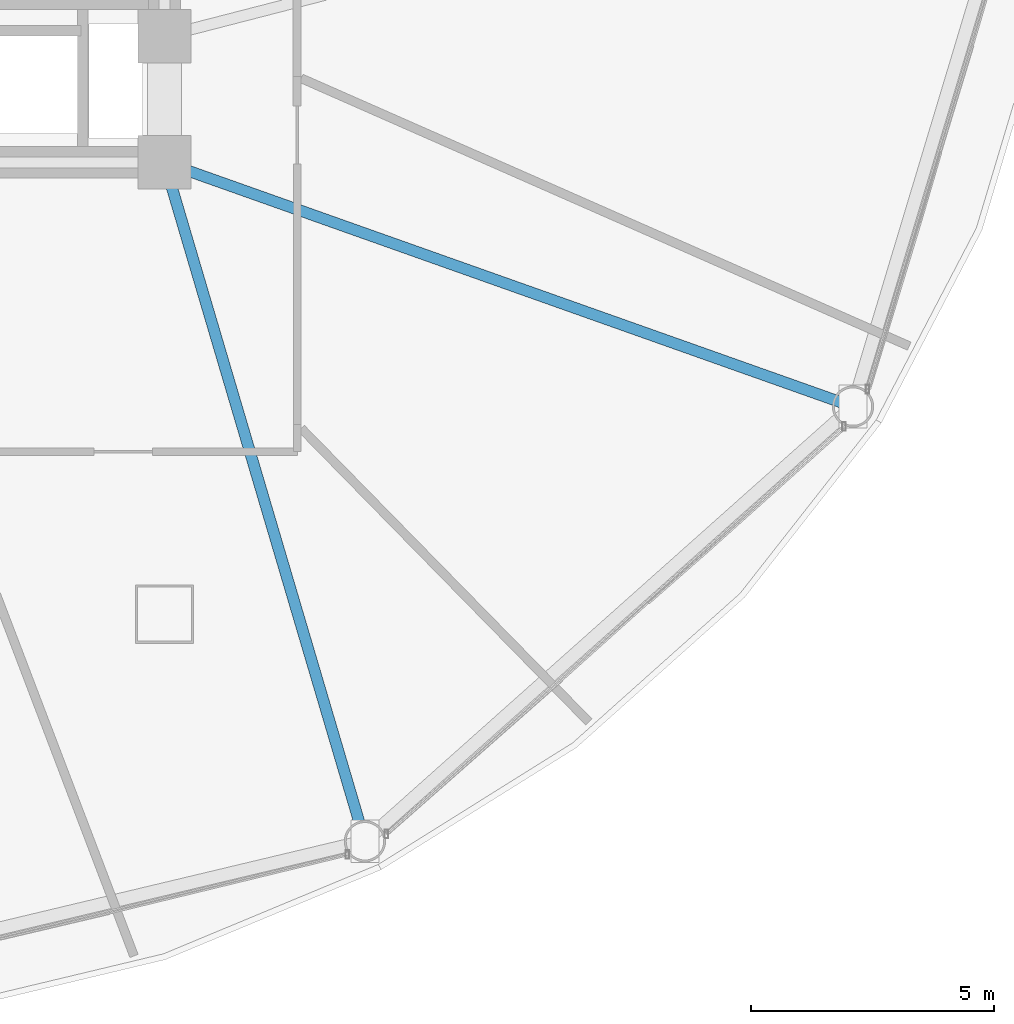
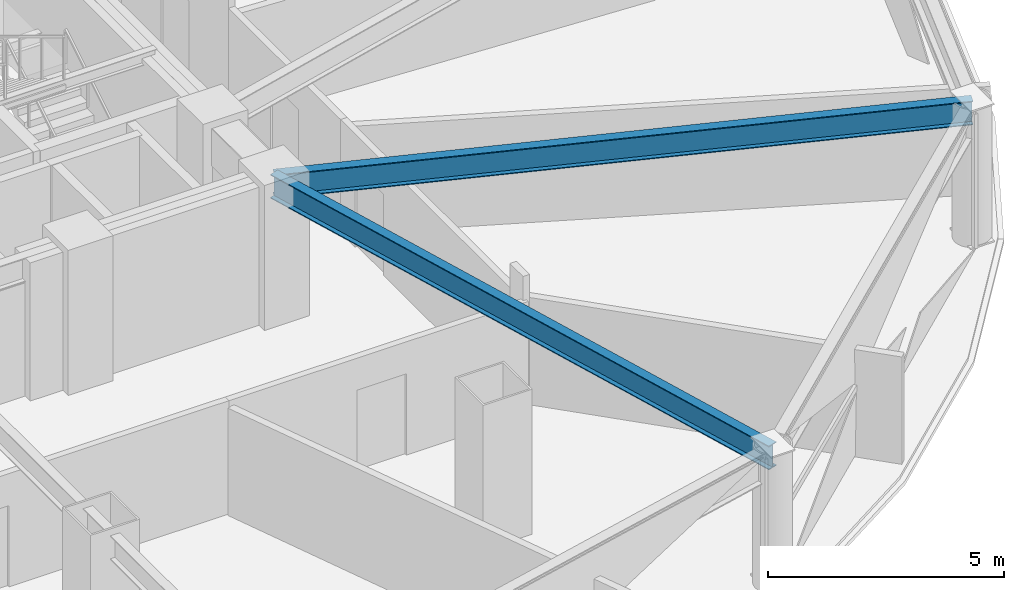
# One storey, part 9 of 29: 2 beams.
"""IFC4 building model written with IfcOpenShell, lengths in metres."""

from ifc_helpers import new_model, si_unit, direction, frame, origin, origin_2d, place, context, subcontext, project, spatial, i_section, extrude, material, material_profile, profile_set, type_object, element, save


model = new_model("IFC4")

# Units and contexts
model_context = context("Model", 3, precision=1e-05, world=origin(), true_north=direction((0.0, 1.0)))
body_context = subcontext(model_context, "Body", "Model", "MODEL_VIEW")
ifc_project = project(units=[si_unit("LENGTHUNIT", "METRE"), si_unit("AREAUNIT", "SQUARE_METRE"), si_unit("VOLUMEUNIT", "CUBIC_METRE"), si_unit("PLANEANGLEUNIT", "RADIAN"), si_unit("MASSUNIT", "GRAM", prefix="KILO")], contexts=[model_context])

# Site, building, storey
site_placement = place(None, origin())
site = spatial("IfcSite", under=ifc_project, at=site_placement, CompositionType="ELEMENT")
building_placement = place(site_placement, origin())
building = spatial("IfcBuilding", under=site, at=building_placement, Name="Vantalir Tower", CompositionType="ELEMENT")
storey_placement = place(building_placement, frame((0.0, 0.0, 60.75)))
storey = spatial("IfcBuildingStorey", under=building, at=storey_placement, Name="L14", CompositionType="ELEMENT", Elevation=60.75)

# Beams
ifc_material = material(Name="Steel S355", Category="steel")
ifc_material_profile = material_profile(ifc_material, i_section(OverallWidth=0.22998046875, OverallDepth=0.616943359375, WebThickness=0.01318359375, FlangeThickness=0.022216796875, at=origin_2d()), Name="Steel S355")
ifc_profile_set = profile_set([ifc_material_profile], Name="Steel S355")
beam_type = type_object("IfcBeamType", Name="BM-RB-610x229", PredefinedType="BEAM", material=ifc_profile_set)
beam_1_placement = place(storey_placement, frame((45.22607421875, 3.824951171875, 3.261962890625), z_axis=(-0.28315491657, 0.959074185463, 0.0), x_axis=(-0.959074185463, -0.28315491657, 0.0)))
element("IfcBeam", 1, at=beam_1_placement, inside=storey, type_object=beam_type, Name="L14 Radial Floor Beam 11", PredefinedType="BEAM", context=body_context, shape_type="SweptSolid", body=[
    extrude(i_section(OverallWidth=0.22998046875, OverallDepth=0.616943359375, WebThickness=0.01318359375, FlangeThickness=0.022216796875, at=origin_2d()), origin(), (0.0, 0.0, 1.0), 14.571533203125),
])
beam_2_placement = place(storey_placement, frame((55.27294921875, 12.77392578125, 3.261962890625), z_axis=(-0.942489624412, 0.334235407872, 0.0), x_axis=(-0.334235407872, -0.942489624412, 0.0)))
element("IfcBeam", 2, at=beam_2_placement, inside=storey, type_object=beam_type, Name="L14 Radial Floor Beam 12", PredefinedType="BEAM", context=body_context, shape_type="SweptSolid", body=[
    extrude(i_section(OverallWidth=0.22998046875, OverallDepth=0.616943359375, WebThickness=0.01318359375, FlangeThickness=0.022216796875, at=origin_2d()), origin(), (0.0, 0.0, 1.0), 15.03759765625),
])

save(model, "model.ifc")
